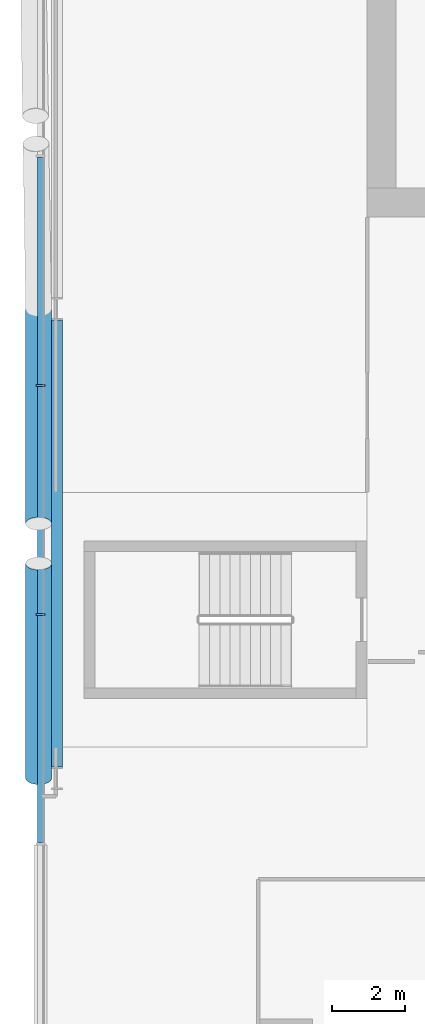
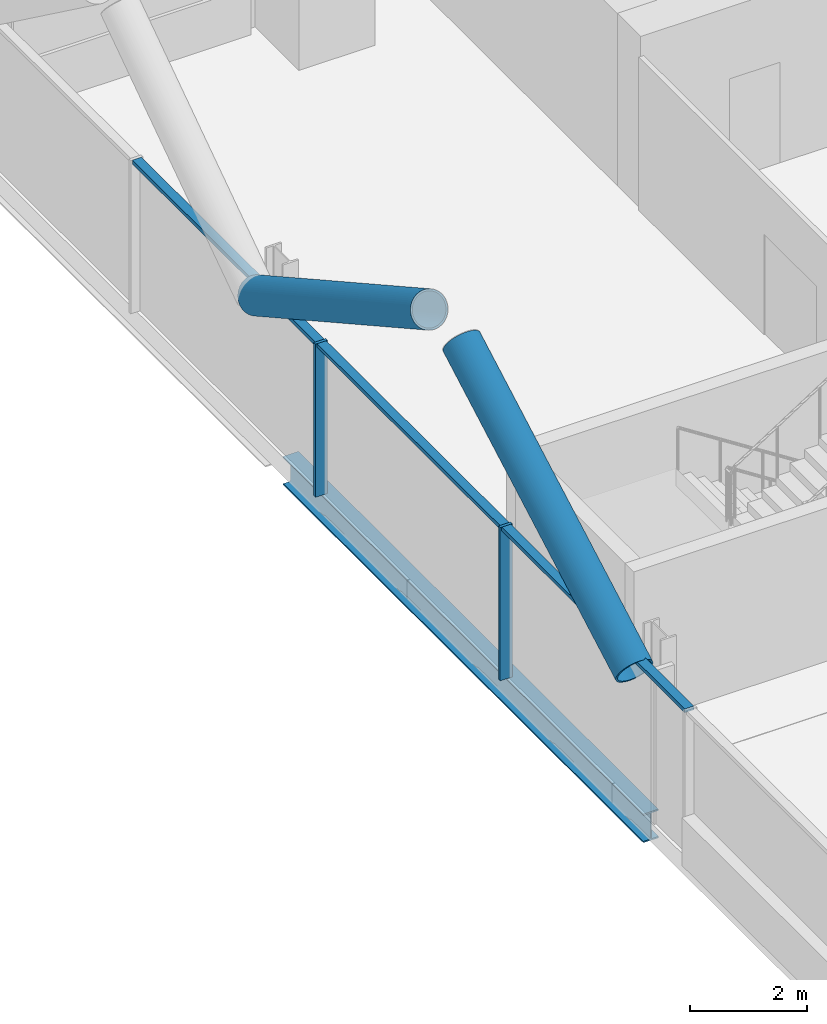
# One storey, part 7 of 26: 7 members, 1 beam, 1 element without a shape of its own.
"""IFC4 building model written with IfcOpenShell, lengths in metres."""

from ifc_helpers import new_model, si_unit, direction, frame, origin, origin_2d, place, context, subcontext, project, spatial, rectangle, hollow_circle, i_section, extrude, material, material_profile, profile_set, type_object, element, aggregate, save


model = new_model("IFC4")

# Units and contexts
model_context = context("Model", 3, precision=1e-05, world=origin(), true_north=direction((0.0, 1.0)))
body_context = subcontext(model_context, "Body", "Model", "MODEL_VIEW")
ifc_project = project(units=[si_unit("LENGTHUNIT", "METRE"), si_unit("AREAUNIT", "SQUARE_METRE"), si_unit("VOLUMEUNIT", "CUBIC_METRE"), si_unit("PLANEANGLEUNIT", "RADIAN"), si_unit("MASSUNIT", "GRAM", prefix="KILO")], contexts=[model_context])

# Site, building, storey
site_placement = place(None, origin())
site = spatial("IfcSite", under=ifc_project, at=site_placement, CompositionType="ELEMENT")
building_placement = place(site_placement, origin())
building = spatial("IfcBuilding", under=site, at=building_placement, Name="Wharfspan Tower", CompositionType="ELEMENT")
storey_placement = place(building_placement, frame((0.0, 0.0, 169.899902)))
storey = spatial("IfcBuildingStorey", under=building, at=storey_placement, Name="L41", CompositionType="ELEMENT", Elevation=169.899902)

# Beam
ifc_material_1 = material(Name="Steel S355J2", Category="steel")
ifc_material_profile_1 = material_profile(ifc_material_1, i_section(OverallWidth=0.300049, OverallDepth=0.600098, WebThickness=0.015381, FlangeThickness=0.030029, FilletRadius=0.0271, at=origin_2d()))
ifc_profile_set_1 = profile_set([ifc_material_profile_1], Name="Steel S355J2")
beam_type = type_object("IfcBeamType", Name="Edge beam HEB 600", PredefinedType="SPANDREL", material=ifc_profile_set_1)
beam_placement = place(storey_placement, frame((7.449951, 31.160645, -0.699951), z_axis=(0.0, -1.0, 0.0), x_axis=(1.0, 0.0, 0.0)))
element("IfcBeam", 1, at=beam_placement, inside=storey, type_object=beam_type, Name="Edge beam W L41 PW.1 to PW.2", PredefinedType="SPANDREL", context=body_context, shape_type="SweptSolid", body=[
    extrude(i_section(OverallWidth=0.300049, OverallDepth=0.600098, WebThickness=0.015381, FlangeThickness=0.030029, FilletRadius=0.0271, at=origin_2d()), origin(), (0.0, 0.0, 1.0), 12.321289),
])

# Curtain wall, members
ifc_material_2 = material(Name="Aluminium 6063-T6", Category="aluminium")
curtain_wall_type = type_object("IfcCurtainWallType", Name="CURTAIN WALL PROW AND END", PredefinedType="NOTDEFINED", material=ifc_material_2)
curtain_wall_placement = place(storey_placement, origin())
curtain_wall = element("IfcCurtainWall", 2, at=curtain_wall_placement, inside=storey, type_object=curtain_wall_type, Name="Curtain wall W", PredefinedType="NOTDEFINED")
ifc_material_profile_2 = material_profile(ifc_material_2, rectangle(XDim=0.23999, YDim=0.060059, at=origin_2d()))
ifc_profile_set_2 = profile_set([ifc_material_profile_2], Name="Aluminium 6063-T6")
member_type_1 = type_object("IfcMemberType", Name="MULLION PROW AND END 60x240", PredefinedType="MULLION", material=ifc_profile_set_2)
member_1_placement = place(storey_placement, frame((7.0, 29.360107, 0.0), z_axis=(0.0, 0.0, 1.0), x_axis=(1.0, 0.0, 0.0)))
member_1 = element("IfcMember", 3, at=member_1_placement, type_object=member_type_1, Name="Curtain wall W mullion 3", PredefinedType="MULLION", context=body_context, shape_type="SweptSolid", body=[
    extrude(rectangle(XDim=0.23999, YDim=0.060059, at=origin_2d()), origin(), (0.0, 0.0, 1.0), 3.200195),
])
member_2_placement = place(storey_placement, frame((7.0, 23.040039, 0.0), z_axis=(0.0, 0.0, 1.0), x_axis=(1.0, 0.0, 0.0)))
member_2 = element("IfcMember", 4, at=member_2_placement, type_object=member_type_1, Name="Curtain wall W mullion 4", PredefinedType="MULLION", context=body_context, shape_type="SweptSolid", body=[
    extrude(rectangle(XDim=0.23999, YDim=0.060059, at=origin_2d()), origin(), (0.0, 0.0, 1.0), 3.200195),
])

# Members
ifc_material_3 = material(Name="Steel S460NH", Category="steel")
ifc_material_profile_3 = material_profile(ifc_material_3, hollow_circle(Radius=0.355469, WallThickness=0.035889, at=origin_2d()))
ifc_profile_set_3 = profile_set([ifc_material_profile_3], Name="Steel S460NH")
member_type_2 = type_object("IfcMemberType", Name="Mega brace CHS 711x36", PredefinedType="BRACE", material=ifc_profile_set_3)
for number, where, z_axis, x_axis, name in (
    (5, (6.945068, 31.466553, 2.900146), (0.0, -0.873733, 0.486406), (1.0, 0.0, 0.0), "Mega brace W3 L42 part 1"),
    (6, (6.945068, 18.533447, 2.900146), (0.0, 0.873733, 0.486406), (-1.0, 0.0, 0.0), "Mega brace W3 L42 part 3"),
):
    element("IfcMember", number, at=place(storey_placement, frame(where, z_axis=z_axis, x_axis=x_axis)), inside=storey, type_object=member_type_2, Name=name, PredefinedType="BRACE", context=body_context, shape_type="SweptSolid", body=[
        extrude(hollow_circle(Radius=0.355469, WallThickness=0.035889, at=origin_2d()), origin(), (0.0, 0.0, 1.0), 6.766602),
    ])

# Member
ifc_material_profile_4 = material_profile(ifc_material_2, rectangle(XDim=0.179932, YDim=0.080078, at=origin_2d()))
ifc_profile_set_4 = profile_set([ifc_material_profile_4], Name="Aluminium 6063-T6")
member_type_3 = type_object("IfcMemberType", Name="TRANSOM PROW AND END 80x180", PredefinedType="USERDEFINED", material=ifc_profile_set_4)
member_3_placement = place(storey_placement, frame((7.0, 35.649902, 3.160156), z_axis=(0.0, -1.0, 0.0), x_axis=(1.0, 0.0, 0.0)))
member_3 = element("IfcMember", 7, at=member_3_placement, type_object=member_type_3, Name="Curtain wall W transom 2", ObjectType="TRANSOM", PredefinedType="USERDEFINED", context=body_context, shape_type="SweptSolid", body=[
    extrude(rectangle(XDim=0.179932, YDim=0.080078, at=origin_2d()), origin(), (0.0, 0.0, 1.0), 6.26001),
])

member_4_placement = place(storey_placement, frame((7.0, 29.330078, 3.160156), z_axis=(0.0, -1.0, 0.0), x_axis=(1.0, 0.0, 0.0)))
member_4 = element("IfcMember", 8, at=member_4_placement, type_object=member_type_3, Name="Curtain wall W transom 3", ObjectType="TRANSOM", PredefinedType="USERDEFINED", context=body_context, shape_type="SweptSolid", body=[
    extrude(rectangle(XDim=0.179932, YDim=0.080078, at=origin_2d()), origin(), (0.0, 0.0, 1.0), 6.26001),
])

member_5_placement = place(storey_placement, frame((7.0, 23.01001, 3.160156), z_axis=(0.0, -1.0, 0.0), x_axis=(1.0, 0.0, 0.0)))
member_5 = element("IfcMember", 9, at=member_5_placement, type_object=member_type_3, Name="Curtain wall W transom 4", ObjectType="TRANSOM", PredefinedType="USERDEFINED", context=body_context, shape_type="SweptSolid", body=[
    extrude(rectangle(XDim=0.179932, YDim=0.080078, at=origin_2d()), origin(), (0.0, 0.0, 1.0), 6.26001),
])

aggregate(curtain_wall, [member_1, member_2, member_3, member_4, member_5])

save(model, "model.ifc")
